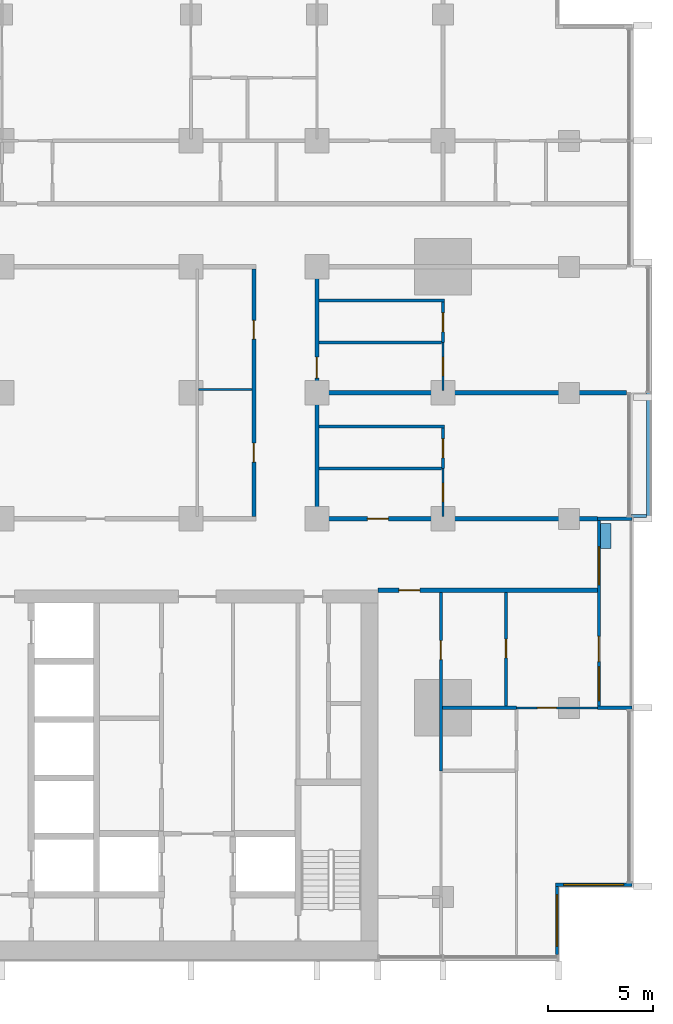
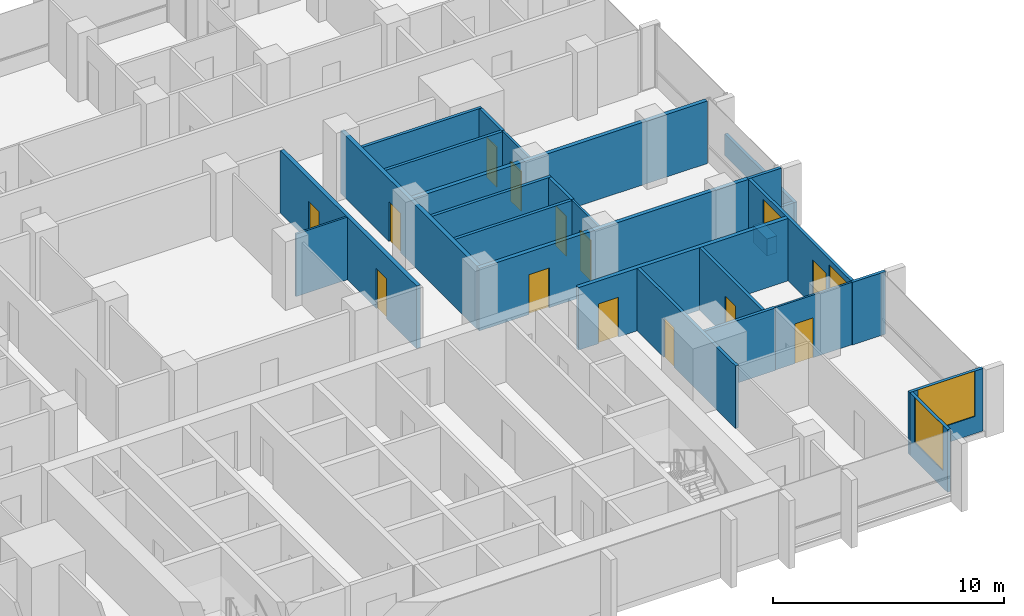
# One storey, part 10 of 17: 26 walls, 13 doors, 4 windows, 17 openings.
"""IFC4 building model written with IfcOpenShell, lengths in metres."""

from ifc_helpers import new_model, si_unit, direction, frame, frame_2d, origin, place, context, subcontext, project, spatial, rectangle, extrude, material, layer, layer_set, type_object, element, fill, save


model = new_model("IFC4")

# Units and contexts
model_context = context("Model", 3, precision=1e-05, world=origin(), true_north=direction((0.0, 1.0)))
body_context = subcontext(model_context, "Body", "Model", "MODEL_VIEW")
ifc_project = project(units=[si_unit("LENGTHUNIT", "METRE"), si_unit("AREAUNIT", "SQUARE_METRE"), si_unit("VOLUMEUNIT", "CUBIC_METRE"), si_unit("PLANEANGLEUNIT", "RADIAN"), si_unit("MASSUNIT", "GRAM", prefix="KILO")], contexts=[model_context])

# Site, building, storey
site_placement = place(None, origin())
site = spatial("IfcSite", under=ifc_project, at=site_placement, CompositionType="ELEMENT")
building_placement = place(site_placement, origin())
building = spatial("IfcBuilding", under=site, at=building_placement, Name="Finial Court Residences", CompositionType="ELEMENT")
storey_placement = place(building_placement, frame((0.0, 0.0, 102.699951171875)))
storey = spatial("IfcBuildingStorey", under=building, at=storey_placement, Name="L25", CompositionType="ELEMENT", Elevation=102.699951171875)

# Wall
ifc_material_1 = material(Name="Gypsum board")
ifc_layer_1 = layer(ifc_material_1, 0.02490234375)
ifc_material_2 = material(Name="Acoustic mineral wool in double frame")
ifc_layer_2 = layer(ifc_material_2, 0.14990234375)
ifc_layer_3 = layer(ifc_material_1, 0.02490234375)
ifc_layer_set_1 = layer_set([ifc_layer_1, ifc_layer_2, ifc_layer_3], Name="Acoustic party wall 200, 1 hour")
wall_type_1 = type_object("IfcWallType", Name="Acoustic party wall 200, 1 hour", PredefinedType="PARTITIONING", material=ifc_layer_set_1)
wall_1_placement = place(storey_placement, frame((10.60009765625, 1.5, 0.0), z_axis=(0.0, 0.0, 1.0), x_axis=(1.0, 0.0, 0.0)))
element("IfcWall", 1, at=wall_1_placement, inside=storey, type_object=wall_type_1, Name="Partition L25-017", PredefinedType="PARTITIONING", context=body_context, shape_type="SweptSolid", body=[
    extrude(rectangle(XDim=14.64990234375, YDim=0.199951171875, at=frame_2d((7.324951171875, 0.0))), origin(), (0.0, 0.0, 1.0), 3.300048828125),
])

# Wall, opening, door
ifc_layer_4 = layer(ifc_material_1, 0.02490234375)
ifc_layer_5 = layer(ifc_material_2, 0.14990234375)
ifc_layer_6 = layer(ifc_material_1, 0.02490234375)
ifc_layer_set_2 = layer_set([ifc_layer_4, ifc_layer_5, ifc_layer_6], Name="Corridor wall 200, 1 hour")
wall_type_2 = type_object("IfcWallType", Name="Corridor wall 200, 1 hour", PredefinedType="PARTITIONING", material=ifc_layer_set_2)
wall_2_placement = place(storey_placement, frame((13.39990234375, -7.89990234375, 0.0), z_axis=(0.0, 0.0, 1.0), x_axis=(1.0, 0.0, 0.0)))
wall_2 = element("IfcWall", 2, at=wall_2_placement, inside=storey, type_object=wall_type_2, Name="Partition L25-008", PredefinedType="PARTITIONING", context=body_context, shape_type="SweptSolid", body=[
    extrude(rectangle(XDim=10.4501953125, YDim=0.199951171875, at=frame_2d((5.22509765625, 0.0))), origin(), (0.0, 0.0, 1.0), 3.300048828125),
])
opening_1_placement = place(wall_2_placement, frame((1.0, 0.0, 0.0)))
opening_1 = element("IfcOpeningElement", 3, at=opening_1_placement, cuts=wall_2, Name="Opening L25-D006", PredefinedType="OPENING", context=body_context, shape_type="SweptSolid", body=[
    extrude(rectangle(XDim=1.0, YDim=2.10009765625, at=frame_2d((0.5, 1.050048828125))), frame((0.0, 0.10986328125, 0.0), z_axis=(0.0, -1.0, 0.0), x_axis=(1.0, 0.0, 0.0)), (0.0, 0.0, 1.0), 0.219970703125),
])
ifc_material_3 = material(Name="Timber door leaf in hollow metal frame", Category="wood")
door_type_1 = type_object("IfcDoorType", Name="Fire door set 1000 x 2100, 30 minutes", OperationType="SINGLE_SWING_LEFT", PredefinedType="DOOR", material=ifc_material_3)
door_1_placement = place(opening_1_placement, origin())
door_1 = element("IfcDoor", 4, at=door_1_placement, inside=storey, type_object=door_type_1, Name="Door L25-D006", OperationType="SINGLE_SWING_LEFT", OverallHeight=2.10009765625, OverallWidth=1.0, PredefinedType="DOOR", context=body_context, shape_type="SweptSolid", body=[
    extrude(rectangle(XDim=1.0, YDim=2.10009765625, at=frame_2d((0.5, 1.050048828125))), frame((0.0, 0.02490234375, 0.0), z_axis=(0.0, -1.0, 0.0), x_axis=(1.0, 0.0, 0.0)), (0.0, 0.0, 1.0), 0.050048828125),
])
fill(opening_1, door_1)

wall_3_placement = place(storey_placement, frame((10.39990234375, -4.5, 0.0), z_axis=(0.0, 0.0, 1.0), x_axis=(1.0, 0.0, 0.0)))
wall_3 = element("IfcWall", 5, at=wall_3_placement, inside=storey, type_object=wall_type_2, Name="Partition L25-011", PredefinedType="PARTITIONING", context=body_context, shape_type="SweptSolid", body=[
    extrude(rectangle(XDim=13.4501953125, YDim=0.199951171875, at=frame_2d((6.72509765625, 0.0))), origin(), (0.0, 0.0, 1.0), 3.300048828125),
])
opening_2_placement = place(wall_3_placement, frame((2.5, 0.0, 0.0)))
opening_2 = element("IfcOpeningElement", 6, at=opening_2_placement, cuts=wall_3, Name="Opening L25-D009", PredefinedType="OPENING", context=body_context, shape_type="SweptSolid", body=[
    extrude(rectangle(XDim=1.0, YDim=2.10009765625, at=frame_2d((0.5, 1.050048828125))), frame((0.0, 0.10986328125, 0.0), z_axis=(0.0, -1.0, 0.0), x_axis=(1.0, 0.0, 0.0)), (0.0, 0.0, 1.0), 0.219970703125),
])
door_2_placement = place(opening_2_placement, origin())
door_2 = element("IfcDoor", 7, at=door_2_placement, inside=storey, type_object=door_type_1, Name="Door L25-D009", OperationType="SINGLE_SWING_RIGHT", OverallHeight=2.10009765625, OverallWidth=1.0, PredefinedType="DOOR", context=body_context, shape_type="SweptSolid", body=[
    extrude(rectangle(XDim=1.0, YDim=2.10009765625, at=frame_2d((0.5, 1.050048828125))), frame((0.0, 0.02490234375, 0.0), z_axis=(0.0, -1.0, 0.0), x_axis=(1.0, 0.0, 0.0)), (0.0, 0.0, 1.0), 0.050048828125),
])
fill(opening_2, door_2)

# Wall, openings, doors
wall_4_placement = place(storey_placement, frame((7.5, -4.39990234375, 0.0), z_axis=(0.0, 0.0, 1.0), x_axis=(0.0, 1.0, 0.0)))
wall_4 = element("IfcWall", 8, at=wall_4_placement, inside=storey, type_object=wall_type_2, Name="Partition L25-067", PredefinedType="PARTITIONING", context=body_context, shape_type="SweptSolid", body=[
    extrude(rectangle(XDim=11.7998046875, YDim=0.199951171875, at=frame_2d((5.89990234375, 0.0))), origin(), (0.0, 0.0, 1.0), 3.300048828125),
])
opening_3_placement = place(wall_4_placement, frame((2.60009765625, 0.0, 0.0)))
opening_3 = element("IfcOpeningElement", 9, at=opening_3_placement, cuts=wall_4, Name="Opening L25-D040", PredefinedType="OPENING", context=body_context, shape_type="SweptSolid", body=[
    extrude(rectangle(XDim=0.89990234375, YDim=2.10009765625, at=frame_2d((0.449951171875, 1.050048828125))), frame((0.0, 0.10986328125, 0.0), z_axis=(0.0, -1.0, 0.0), x_axis=(1.0, 0.0, 0.0)), (0.0, 0.0, 1.0), 0.219970703125),
])
opening_4_placement = place(wall_4_placement, frame((8.449951171875, 0.0, 0.0)))
opening_4 = element("IfcOpeningElement", 10, at=opening_4_placement, cuts=wall_4, Name="Opening L25-D041", PredefinedType="OPENING", context=body_context, shape_type="SweptSolid", body=[
    extrude(rectangle(XDim=0.89990234375, YDim=2.10009765625, at=frame_2d((0.449951171875, 1.050048828125))), frame((0.0, 0.10986328125, 0.0), z_axis=(0.0, -1.0, 0.0), x_axis=(1.0, 0.0, 0.0)), (0.0, 0.0, 1.0), 0.219970703125),
])
door_type_2 = type_object("IfcDoorType", Name="Fire door set 900 x 2100, 30 minutes", OperationType="SINGLE_SWING_LEFT", PredefinedType="DOOR", material=ifc_material_3)
door_3_placement = place(opening_3_placement, origin())
door_3 = element("IfcDoor", 11, at=door_3_placement, inside=storey, type_object=door_type_2, Name="Door L25-D040", OperationType="SINGLE_SWING_RIGHT", OverallHeight=2.10009765625, OverallWidth=0.89990234375, PredefinedType="DOOR", context=body_context, shape_type="SweptSolid", body=[
    extrude(rectangle(XDim=0.89990234375, YDim=2.10009765625, at=frame_2d((0.449951171875, 1.050048828125))), frame((0.0, 0.02490234375, 0.0), z_axis=(0.0, -1.0, 0.0), x_axis=(1.0, 0.0, 0.0)), (0.0, 0.0, 1.0), 0.050048828125),
])
fill(opening_3, door_3)
door_4_placement = place(opening_4_placement, origin())
door_4 = element("IfcDoor", 12, at=door_4_placement, inside=storey, type_object=door_type_2, Name="Door L25-D041", OperationType="SINGLE_SWING_LEFT", OverallHeight=2.10009765625, OverallWidth=0.89990234375, PredefinedType="DOOR", context=body_context, shape_type="SweptSolid", body=[
    extrude(rectangle(XDim=0.89990234375, YDim=2.10009765625, at=frame_2d((0.449951171875, 1.050048828125))), frame((0.0, 0.02490234375, 0.0), z_axis=(0.0, -1.0, 0.0), x_axis=(1.0, 0.0, 0.0)), (0.0, 0.0, 1.0), 0.050048828125),
])
fill(opening_4, door_4)

# Wall, opening, door
wall_5_placement = place(storey_placement, frame((10.5, -4.39990234375, 0.0), z_axis=(0.0, 0.0, 1.0), x_axis=(0.0, 1.0, 0.0)))
wall_5 = element("IfcWall", 13, at=wall_5_placement, inside=storey, type_object=wall_type_2, Name="Partition L25-069", PredefinedType="PARTITIONING", context=body_context, shape_type="SweptSolid", body=[
    extrude(rectangle(XDim=11.7998046875, YDim=0.199951171875, at=frame_2d((5.89990234375, 0.0))), origin(), (0.0, 0.0, 1.0), 3.300048828125),
])
opening_5_placement = place(wall_5_placement, frame((6.60009765625, 0.0, 0.0)))
opening_5 = element("IfcOpeningElement", 14, at=opening_5_placement, cuts=wall_5, Name="Opening L25-D042", PredefinedType="OPENING", context=body_context, shape_type="SweptSolid", body=[
    extrude(rectangle(XDim=1.0, YDim=2.10009765625, at=frame_2d((0.5, 1.050048828125))), frame((0.0, 0.10986328125, 0.0), z_axis=(0.0, -1.0, 0.0), x_axis=(1.0, 0.0, 0.0)), (0.0, 0.0, 1.0), 0.219970703125),
])
door_5_placement = place(opening_5_placement, origin())
door_5 = element("IfcDoor", 15, at=door_5_placement, inside=storey, type_object=door_type_1, Name="Door L25-D042", OperationType="SINGLE_SWING_RIGHT", OverallHeight=2.10009765625, OverallWidth=1.0, PredefinedType="DOOR", context=body_context, shape_type="SweptSolid", body=[
    extrude(rectangle(XDim=1.0, YDim=2.10009765625, at=frame_2d((0.5, 1.050048828125))), frame((0.0, 0.02490234375, 0.0), z_axis=(0.0, -1.0, 0.0), x_axis=(1.0, 0.0, 0.0)), (0.0, 0.0, 1.0), 0.050048828125),
])
fill(opening_5, door_5)

ifc_layer_7 = layer(ifc_material_1, 0.012451171875)
ifc_material_4 = material(Name="Mineral wool in light-gauge frame")
ifc_layer_8 = layer(ifc_material_4, 0.074951171875)
ifc_layer_9 = layer(ifc_material_1, 0.012451171875)
ifc_layer_set_3 = layer_set([ifc_layer_7, ifc_layer_8, ifc_layer_9], Name="Gypsum board partition 100")
wall_type_3 = type_object("IfcWallType", Name="Gypsum board partition 100", PredefinedType="PARTITIONING", material=ifc_layer_set_3)
wall_6_placement = place(storey_placement, frame((20.0, -13.5, 0.0), z_axis=(0.0, 0.0, 1.0), x_axis=(1.0, 0.0, 0.0)))
wall_6 = element("IfcWall", 16, at=wall_6_placement, inside=storey, type_object=wall_type_3, Name="Partition L25-004", PredefinedType="PARTITIONING", context=body_context, shape_type="SweptSolid", body=[
    extrude(rectangle(XDim=3.85009765625, YDim=0.10009765625, at=frame_2d((1.925048828125, 0.0))), origin(), (0.0, 0.0, 1.0), 3.300048828125),
])
opening_6_placement = place(wall_6_placement, frame((1.0, 0.0, 0.0)))
opening_6 = element("IfcOpeningElement", 17, at=opening_6_placement, cuts=wall_6, Name="Opening L25-D004", PredefinedType="OPENING", context=body_context, shape_type="SweptSolid", body=[
    extrude(rectangle(XDim=0.89990234375, YDim=2.10009765625, at=frame_2d((0.449951171875, 1.050048828125))), frame((0.0, 0.06005859375, 0.0), z_axis=(0.0, -1.0, 0.0), x_axis=(1.0, 0.0, 0.0)), (0.0, 0.0, 1.0), 0.1201171875),
])
ifc_material_5 = material(Name="Timber door leaf in timber frame", Category="wood")
door_type_3 = type_object("IfcDoorType", Name="Door set 900 x 2100", OperationType="SINGLE_SWING_LEFT", PredefinedType="DOOR", material=ifc_material_5)
door_6_placement = place(opening_6_placement, origin())
door_6 = element("IfcDoor", 18, at=door_6_placement, inside=storey, type_object=door_type_3, Name="Door L25-D004", OperationType="SINGLE_SWING_LEFT", OverallHeight=2.10009765625, OverallWidth=0.89990234375, PredefinedType="DOOR", context=body_context, shape_type="SweptSolid", body=[
    extrude(rectangle(XDim=0.89990234375, YDim=2.10009765625, at=frame_2d((0.449951171875, 1.050048828125))), frame((0.0, 0.02490234375, 0.0), z_axis=(0.0, -1.0, 0.0), x_axis=(1.0, 0.0, 0.0)), (0.0, 0.0, 1.0), 0.050048828125),
])
fill(opening_6, door_6)

# Wall
wall_7_placement = place(storey_placement, frame((4.85009765625, 1.64990234375, 0.0), z_axis=(0.0, 0.0, 1.0), x_axis=(1.0, 0.0, 0.0)))
element("IfcWall", 19, at=wall_7_placement, inside=storey, type_object=wall_type_3, Name="Partition L25-019", PredefinedType="PARTITIONING", context=body_context, shape_type="SweptSolid", body=[
    extrude(rectangle(XDim=2.5498046875, YDim=0.10009765625, at=frame_2d((1.27490234375, 0.0))), origin(), (0.0, 0.0, 1.0), 3.300048828125),
])

# Wall, opening, door
wall_8_placement = place(storey_placement, frame((16.5, -4.39990234375, 0.0), z_axis=(0.0, 0.0, 1.0), x_axis=(0.0, 1.0, 0.0)))
wall_8 = element("IfcWall", 20, at=wall_8_placement, inside=storey, type_object=wall_type_3, Name="Partition L25-074", PredefinedType="PARTITIONING", context=body_context, shape_type="SweptSolid", body=[
    extrude(rectangle(XDim=2.2998046875, YDim=0.10009765625, at=frame_2d((1.14990234375, 0.0))), origin(), (0.0, 0.0, 1.0), 3.300048828125),
])
opening_7_placement = place(wall_8_placement, frame((0.699951171875, 0.0, 0.0)))
opening_7 = element("IfcOpeningElement", 21, at=opening_7_placement, cuts=wall_8, Name="Opening L25-D045", PredefinedType="OPENING", context=body_context, shape_type="SweptSolid", body=[
    extrude(rectangle(XDim=0.89990234375, YDim=2.10009765625, at=frame_2d((0.449951171875, 1.050048828125))), frame((0.0, 0.06005859375, 0.0), z_axis=(0.0, -1.0, 0.0), x_axis=(1.0, 0.0, 0.0)), (0.0, 0.0, 1.0), 0.1201171875),
])
door_7_placement = place(opening_7_placement, origin())
door_7 = element("IfcDoor", 22, at=door_7_placement, inside=storey, type_object=door_type_3, Name="Door L25-D045", OperationType="SINGLE_SWING_RIGHT", OverallHeight=2.10009765625, OverallWidth=0.89990234375, PredefinedType="DOOR", context=body_context, shape_type="SweptSolid", body=[
    extrude(rectangle(XDim=0.89990234375, YDim=2.10009765625, at=frame_2d((0.449951171875, 1.050048828125))), frame((0.0, 0.02490234375, 0.0), z_axis=(0.0, -1.0, 0.0), x_axis=(1.0, 0.0, 0.0)), (0.0, 0.0, 1.0), 0.050048828125),
])
fill(opening_7, door_7)

wall_9_placement = place(storey_placement, frame((16.5, 1.60009765625, 0.0), z_axis=(0.0, 0.0, 1.0), x_axis=(0.0, 1.0, 0.0)))
wall_9 = element("IfcWall", 23, at=wall_9_placement, inside=storey, type_object=wall_type_3, Name="Partition L25-075", PredefinedType="PARTITIONING", context=body_context, shape_type="SweptSolid", body=[
    extrude(rectangle(XDim=2.2998046875, YDim=0.10009765625, at=frame_2d((1.14990234375, 0.0))), origin(), (0.0, 0.0, 1.0), 3.300048828125),
])
opening_8_placement = place(wall_9_placement, frame((0.699951171875, 0.0, 0.0)))
opening_8 = element("IfcOpeningElement", 24, at=opening_8_placement, cuts=wall_9, Name="Opening L25-D046", PredefinedType="OPENING", context=body_context, shape_type="SweptSolid", body=[
    extrude(rectangle(XDim=0.89990234375, YDim=2.10009765625, at=frame_2d((0.449951171875, 1.050048828125))), frame((0.0, 0.06005859375, 0.0), z_axis=(0.0, -1.0, 0.0), x_axis=(1.0, 0.0, 0.0)), (0.0, 0.0, 1.0), 0.1201171875),
])
door_8_placement = place(opening_8_placement, origin())
door_8 = element("IfcDoor", 25, at=door_8_placement, inside=storey, type_object=door_type_3, Name="Door L25-D046", OperationType="SINGLE_SWING_RIGHT", OverallHeight=2.10009765625, OverallWidth=0.89990234375, PredefinedType="DOOR", context=body_context, shape_type="SweptSolid", body=[
    extrude(rectangle(XDim=0.89990234375, YDim=2.10009765625, at=frame_2d((0.449951171875, 1.050048828125))), frame((0.0, 0.02490234375, 0.0), z_axis=(0.0, -1.0, 0.0), x_axis=(1.0, 0.0, 0.0)), (0.0, 0.0, 1.0), 0.050048828125),
])
fill(opening_8, door_8)

# Walls
ifc_material_6 = material(Name="Moisture-resistant gypsum board")
ifc_layer_10 = layer(ifc_material_6, 0.012451171875)
ifc_layer_11 = layer(ifc_material_4, 0.125)
ifc_layer_12 = layer(ifc_material_6, 0.012451171875)
ifc_layer_set_4 = layer_set([ifc_layer_10, ifc_layer_11, ifc_layer_12], Name="Gypsum board wet-area partition 150")
wall_type_4 = type_object("IfcWallType", Name="Gypsum board wet-area partition 150", PredefinedType="PARTITIONING", material=ifc_layer_set_4)
wall_10_placement = place(storey_placement, frame((16.47509765625, -13.5, 0.0), z_axis=(0.0, 0.0, 1.0), x_axis=(1.0, 0.0, 0.0)))
element("IfcWall", 26, at=wall_10_placement, inside=storey, type_object=wall_type_4, Name="Partition L25-006", PredefinedType="PARTITIONING", context=body_context, shape_type="SweptSolid", body=[
    extrude(rectangle(XDim=3.52490234375, YDim=0.14990234375, at=frame_2d((1.762451171875, 0.0))), origin(), (0.0, 0.0, 1.0), 3.300048828125),
])
wall_11_placement = place(storey_placement, frame((10.60009765625, -2.10009765625, 0.0), z_axis=(0.0, 0.0, 1.0), x_axis=(1.0, 0.0, 0.0)))
element("IfcWall", 27, at=wall_11_placement, inside=storey, type_object=wall_type_4, Name="Partition L25-013", PredefinedType="PARTITIONING", context=body_context, shape_type="SweptSolid", body=[
    extrude(rectangle(XDim=5.824951171875, YDim=0.14990234375, at=frame_2d((2.91259765625, 0.0))), origin(), (0.0, 0.0, 1.0), 3.300048828125),
])
wall_12_placement = place(storey_placement, frame((10.60009765625, -0.10009765625, 0.0), z_axis=(0.0, 0.0, 1.0), x_axis=(1.0, 0.0, 0.0)))
element("IfcWall", 28, at=wall_12_placement, inside=storey, type_object=wall_type_4, Name="Partition L25-015", PredefinedType="PARTITIONING", context=body_context, shape_type="SweptSolid", body=[
    extrude(rectangle(XDim=5.974853515625, YDim=0.14990234375, at=frame_2d((2.9873046875, 0.0))), origin(), (0.0, 0.0, 1.0), 3.300048828125),
])
wall_13_placement = place(storey_placement, frame((10.60009765625, 3.89990234375, 0.0), z_axis=(0.0, 0.0, 1.0), x_axis=(1.0, 0.0, 0.0)))
element("IfcWall", 29, at=wall_13_placement, inside=storey, type_object=wall_type_4, Name="Partition L25-021", PredefinedType="PARTITIONING", context=body_context, shape_type="SweptSolid", body=[
    extrude(rectangle(XDim=5.824951171875, YDim=0.14990234375, at=frame_2d((2.91259765625, 0.0))), origin(), (0.0, 0.0, 1.0), 3.300048828125),
])
wall_14_placement = place(storey_placement, frame((10.60009765625, 5.89990234375, 0.0), z_axis=(0.0, 0.0, 1.0), x_axis=(1.0, 0.0, 0.0)))
element("IfcWall", 30, at=wall_14_placement, inside=storey, type_object=wall_type_4, Name="Partition L25-023", PredefinedType="PARTITIONING", context=body_context, shape_type="SweptSolid", body=[
    extrude(rectangle(XDim=5.974853515625, YDim=0.14990234375, at=frame_2d((2.9873046875, 0.0))), origin(), (0.0, 0.0, 1.0), 3.300048828125),
])

# Wall, opening, door
wall_15_placement = place(storey_placement, frame((16.39990234375, -16.5, 0.0), z_axis=(0.0, 0.0, 1.0), x_axis=(0.0, 1.0, 0.0)))
wall_15 = element("IfcWall", 31, at=wall_15_placement, inside=storey, type_object=wall_type_4, Name="Partition L25-073", PredefinedType="PARTITIONING", context=body_context, shape_type="SweptSolid", body=[
    extrude(rectangle(XDim=8.5, YDim=0.14990234375, at=frame_2d((4.25, 0.0))), origin(), (0.0, 0.0, 1.0), 3.300048828125),
])
opening_9_placement = place(wall_15_placement, frame((5.300048828125, 0.0, 0.0)))
opening_9 = element("IfcOpeningElement", 32, at=opening_9_placement, cuts=wall_15, Name="Opening L25-D044", PredefinedType="OPENING", context=body_context, shape_type="SweptSolid", body=[
    extrude(rectangle(XDim=0.89990234375, YDim=2.10009765625, at=frame_2d((0.449951171875, 1.050048828125))), frame((0.0, 0.0849609375, 0.0), z_axis=(0.0, -1.0, 0.0), x_axis=(1.0, 0.0, 0.0)), (0.0, 0.0, 1.0), 0.169921875),
])
door_9_placement = place(opening_9_placement, origin())
door_9 = element("IfcDoor", 33, at=door_9_placement, inside=storey, type_object=door_type_3, Name="Door L25-D044", OperationType="SINGLE_SWING_RIGHT", OverallHeight=2.10009765625, OverallWidth=0.89990234375, PredefinedType="DOOR", context=body_context, shape_type="SweptSolid", body=[
    extrude(rectangle(XDim=0.89990234375, YDim=2.10009765625, at=frame_2d((0.449951171875, 1.050048828125))), frame((0.0, 0.02490234375, 0.0), z_axis=(0.0, -1.0, 0.0), x_axis=(1.0, 0.0, 0.0)), (0.0, 0.0, 1.0), 0.050048828125),
])
fill(opening_9, door_9)

wall_16_placement = place(storey_placement, frame((16.5, -2.10009765625, 0.0), z_axis=(0.0, 0.0, 1.0), x_axis=(0.0, 1.0, 0.0)))
wall_16 = element("IfcWall", 34, at=wall_16_placement, inside=storey, type_object=wall_type_4, Name="Partition L25-078", PredefinedType="PARTITIONING", context=body_context, shape_type="SweptSolid", body=[
    extrude(rectangle(XDim=1.925048828125, YDim=0.14990234375, at=frame_2d((0.96240234375, 0.0))), origin(), (0.0, 0.0, 1.0), 3.300048828125),
])
opening_10_placement = place(wall_16_placement, frame((0.5, 0.0, 0.0)))
opening_10 = element("IfcOpeningElement", 35, at=opening_10_placement, cuts=wall_16, Name="Opening L25-D047", PredefinedType="OPENING", context=body_context, shape_type="SweptSolid", body=[
    extrude(rectangle(XDim=0.89990234375, YDim=2.10009765625, at=frame_2d((0.449951171875, 1.050048828125))), frame((0.0, 0.0849609375, 0.0), z_axis=(0.0, -1.0, 0.0), x_axis=(1.0, 0.0, 0.0)), (0.0, 0.0, 1.0), 0.169921875),
])
door_10_placement = place(opening_10_placement, origin())
door_10 = element("IfcDoor", 36, at=door_10_placement, inside=storey, type_object=door_type_3, Name="Door L25-D047", OperationType="SINGLE_SWING_RIGHT", OverallHeight=2.10009765625, OverallWidth=0.89990234375, PredefinedType="DOOR", context=body_context, shape_type="SweptSolid", body=[
    extrude(rectangle(XDim=0.89990234375, YDim=2.10009765625, at=frame_2d((0.449951171875, 1.050048828125))), frame((0.0, 0.02490234375, 0.0), z_axis=(0.0, -1.0, 0.0), x_axis=(1.0, 0.0, 0.0)), (0.0, 0.0, 1.0), 0.050048828125),
])
fill(opening_10, door_10)

wall_17_placement = place(storey_placement, frame((16.5, 3.89990234375, 0.0), z_axis=(0.0, 0.0, 1.0), x_axis=(0.0, 1.0, 0.0)))
wall_17 = element("IfcWall", 37, at=wall_17_placement, inside=storey, type_object=wall_type_4, Name="Partition L25-079", PredefinedType="PARTITIONING", context=body_context, shape_type="SweptSolid", body=[
    extrude(rectangle(XDim=1.925048828125, YDim=0.14990234375, at=frame_2d((0.96240234375, 0.0))), origin(), (0.0, 0.0, 1.0), 3.300048828125),
])
opening_11_placement = place(wall_17_placement, frame((0.5, 0.0, 0.0)))
opening_11 = element("IfcOpeningElement", 38, at=opening_11_placement, cuts=wall_17, Name="Opening L25-D048", PredefinedType="OPENING", context=body_context, shape_type="SweptSolid", body=[
    extrude(rectangle(XDim=0.89990234375, YDim=2.10009765625, at=frame_2d((0.449951171875, 1.050048828125))), frame((0.0, 0.0849609375, 0.0), z_axis=(0.0, -1.0, 0.0), x_axis=(1.0, 0.0, 0.0)), (0.0, 0.0, 1.0), 0.169921875),
])
door_11_placement = place(opening_11_placement, origin())
door_11 = element("IfcDoor", 39, at=door_11_placement, inside=storey, type_object=door_type_3, Name="Door L25-D048", OperationType="SINGLE_SWING_LEFT", OverallHeight=2.10009765625, OverallWidth=0.89990234375, PredefinedType="DOOR", context=body_context, shape_type="SweptSolid", body=[
    extrude(rectangle(XDim=0.89990234375, YDim=2.10009765625, at=frame_2d((0.449951171875, 1.050048828125))), frame((0.0, 0.02490234375, 0.0), z_axis=(0.0, -1.0, 0.0), x_axis=(1.0, 0.0, 0.0)), (0.0, 0.0, 1.0), 0.050048828125),
])
fill(opening_11, door_11)

wall_18_placement = place(storey_placement, frame((19.5, -13.425048828125, 0.0), z_axis=(0.0, 0.0, 1.0), x_axis=(0.0, 1.0, 0.0)))
wall_18 = element("IfcWall", 40, at=wall_18_placement, inside=storey, type_object=wall_type_4, Name="Partition L25-081", PredefinedType="PARTITIONING", context=body_context, shape_type="SweptSolid", body=[
    extrude(rectangle(XDim=5.425048828125, YDim=0.14990234375, at=frame_2d((2.71240234375, 0.0))), origin(), (0.0, 0.0, 1.0), 3.300048828125),
])
opening_12_placement = place(wall_18_placement, frame((2.300048828125, 0.0, 0.0)))
opening_12 = element("IfcOpeningElement", 41, at=opening_12_placement, cuts=wall_18, Name="Opening L25-D050", PredefinedType="OPENING", context=body_context, shape_type="SweptSolid", body=[
    extrude(rectangle(XDim=0.89990234375, YDim=2.10009765625, at=frame_2d((0.449951171875, 1.050048828125))), frame((0.0, 0.0849609375, 0.0), z_axis=(0.0, -1.0, 0.0), x_axis=(1.0, 0.0, 0.0)), (0.0, 0.0, 1.0), 0.169921875),
])
door_12_placement = place(opening_12_placement, origin())
door_12 = element("IfcDoor", 42, at=door_12_placement, inside=storey, type_object=door_type_3, Name="Door L25-D050", OperationType="SINGLE_SWING_LEFT", OverallHeight=2.10009765625, OverallWidth=0.89990234375, PredefinedType="DOOR", context=body_context, shape_type="SweptSolid", body=[
    extrude(rectangle(XDim=0.89990234375, YDim=2.10009765625, at=frame_2d((0.449951171875, 1.050048828125))), frame((0.0, 0.02490234375, 0.0), z_axis=(0.0, -1.0, 0.0), x_axis=(1.0, 0.0, 0.0)), (0.0, 0.0, 1.0), 0.050048828125),
])
fill(opening_12, door_12)

# Walls
ifc_material_7 = material(Name="Concrete C35/45", Category="concrete")
ifc_layer_13 = layer(ifc_material_7, 0.14990234375)
ifc_layer_set_5 = layer_set([ifc_layer_13], Name="Ledge parapet, Concrete C35/45 150")
wall_type_5 = type_object("IfcWallType", Name="Ledge parapet, Concrete C35/45 150", PredefinedType="PARAPET", material=ifc_layer_set_5)
wall_19_placement = place(storey_placement, frame((26.27490234375, 1.5400390625, 0.0), z_axis=(0.0, 0.0, 1.0), x_axis=(0.0, -1.0, 0.0)))
element("IfcWall", 43, at=wall_19_placement, inside=storey, type_object=wall_type_5, Name="E-L25-LED2-P1", PredefinedType="PARAPET", context=body_context, shape_type="SweptSolid", body=[
    extrude(rectangle(XDim=5.989990234375, YDim=0.14990234375, at=frame_2d((2.9951171875, 0.0))), origin(), (0.0, 0.0, 1.0), 1.150146484375),
])
wall_20_placement = place(storey_placement, frame((26.199951171875, -4.375, 0.0), z_axis=(0.0, 0.0, 1.0), x_axis=(-1.0, 0.0, 0.0)))
element("IfcWall", 44, at=wall_20_placement, inside=storey, type_object=wall_type_5, Name="E-L25-LED2-P2", PredefinedType="PARAPET", context=body_context, shape_type="SweptSolid", body=[
    extrude(rectangle(XDim=0.739990234375, YDim=0.14990234375, at=frame_2d((0.3701171875, 0.0))), origin(), (0.0, 0.0, 1.0), 1.150146484375),
])

# Wall, opening, window
ifc_material_8 = material(Name="Natural limestone", Category="masonry")
ifc_layer_14 = layer(ifc_material_8, 0.14990234375)
ifc_layer_set_6 = layer_set([ifc_layer_14], Name="Limestone clad wall 150")
wall_type_6 = type_object("IfcWallType", Name="Limestone clad wall 150", PredefinedType="SOLIDWALL", material=ifc_layer_set_6)
wall_21_placement = place(storey_placement, frame((21.925048828125, -22.0, 0.0), z_axis=(0.0, 0.0, 1.0), x_axis=(0.0, -1.0, 0.0)))
wall_21 = element("IfcWall", 45, at=wall_21_placement, inside=storey, type_object=wall_type_6, Name="E-L25-NWE16", PredefinedType="SOLIDWALL", context=body_context, shape_type="SweptSolid", body=[
    extrude(rectangle(XDim=3.25, YDim=0.14990234375, at=frame_2d((1.625, 0.0))), origin(), (0.0, 0.0, 1.0), 3.300048828125),
])
opening_13_placement = place(wall_21_placement, frame((0.39990234375, 0.0, 0.89990234375)))
opening_13 = element("IfcOpeningElement", 46, at=opening_13_placement, cuts=wall_21, Name="Opening WE25-03", PredefinedType="OPENING", context=body_context, shape_type="SweptSolid", body=[
    extrude(rectangle(XDim=2.449951171875, YDim=2.39990234375, at=frame_2d((1.22509765625, 1.199951171875))), frame((0.0, 0.0849609375, 0.0), z_axis=(0.0, -1.0, 0.0), x_axis=(1.0, 0.0, 0.0)), (0.0, 0.0, 1.0), 0.169921875),
])
ifc_material_9 = material(Name="Clear low-e glass", Category="glass")
window_type_1 = type_object("IfcWindowType", Name="Corner window 2450 x 2400", PartitioningType="SINGLE_PANEL", PredefinedType="WINDOW", material=ifc_material_9)
window_1_placement = place(opening_13_placement, origin())
window_1 = element("IfcWindow", 47, at=window_1_placement, inside=storey, type_object=window_type_1, Name="E-L25-NWE16-W1", OverallHeight=2.39990234375, OverallWidth=2.449951171875, PartitioningType="SINGLE_PANEL", PredefinedType="WINDOW", context=body_context, shape_type="SweptSolid", body=[
    extrude(rectangle(XDim=2.449951171875, YDim=2.39990234375, at=frame_2d((1.22509765625, 1.199951171875))), frame((0.0, 0.030029296875, 0.0), z_axis=(0.0, -1.0, 0.0), x_axis=(1.0, 0.0, 0.0)), (0.0, 0.0, 1.0), 0.06005859375),
])
fill(opening_13, window_1)

wall_22_placement = place(storey_placement, frame((25.5, -21.925048828125, 0.0), z_axis=(0.0, 0.0, 1.0), x_axis=(-1.0, 0.0, 0.0)))
wall_22 = element("IfcWall", 48, at=wall_22_placement, inside=storey, type_object=wall_type_6, Name="E-L25-NWS17", PredefinedType="SOLIDWALL", context=body_context, shape_type="SweptSolid", body=[
    extrude(rectangle(XDim=3.64990234375, YDim=0.14990234375, at=frame_2d((1.824951171875, 0.0))), origin(), (0.0, 0.0, 1.0), 3.300048828125),
])
opening_14_placement = place(wall_22_placement, frame((0.39990234375, 0.0, 0.89990234375)))
opening_14 = element("IfcOpeningElement", 49, at=opening_14_placement, cuts=wall_22, Name="Opening WE25-04", PredefinedType="OPENING", context=body_context, shape_type="SweptSolid", body=[
    extrude(rectangle(XDim=2.85009765625, YDim=2.39990234375, at=frame_2d((1.425048828125, 1.199951171875))), frame((0.0, 0.0849609375, 0.0), z_axis=(0.0, -1.0, 0.0), x_axis=(1.0, 0.0, 0.0)), (0.0, 0.0, 1.0), 0.169921875),
])
window_type_2 = type_object("IfcWindowType", Name="Corner window 2850 x 2400", PartitioningType="SINGLE_PANEL", PredefinedType="WINDOW", material=ifc_material_9)
window_2_placement = place(opening_14_placement, origin())
window_2 = element("IfcWindow", 50, at=window_2_placement, inside=storey, type_object=window_type_2, Name="E-L25-NWS17-W1", OverallHeight=2.39990234375, OverallWidth=2.85009765625, PartitioningType="SINGLE_PANEL", PredefinedType="WINDOW", context=body_context, shape_type="SweptSolid", body=[
    extrude(rectangle(XDim=2.85009765625, YDim=2.39990234375, at=frame_2d((1.425048828125, 1.199951171875))), frame((0.0, 0.030029296875, 0.0), z_axis=(0.0, -1.0, 0.0), x_axis=(1.0, 0.0, 0.0)), (0.0, 0.0, 1.0), 0.06005859375),
])
fill(opening_14, window_2)

# Walls
for number, where, z_axis, x_axis, name in (
    (51, (23.85009765625, -13.5, 0.0), (0.0, 0.0, 1.0), (1.0, 0.0, 0.0), "E-L25-BALE2-P1"),
    (52, (23.85009765625, -4.5, 0.0), (0.0, 0.0, 1.0), (1.0, 0.0, 0.0), "E-L25-BALE2-P2"),
):
    element("IfcWall", number, at=place(storey_placement, frame(where, z_axis=z_axis, x_axis=x_axis)), inside=storey, type_object=wall_type_6, Name=name, PredefinedType="SOLIDWALL", context=body_context, shape_type="SweptSolid", body=[
        extrude(rectangle(XDim=1.64990234375, YDim=0.14990234375, at=frame_2d((0.824951171875, 0.0))), origin(), (0.0, 0.0, 1.0), 3.300048828125),
    ])

# Wall, openings, door, windows
wall_23_placement = place(storey_placement, frame((23.925048828125, -4.574951171875, 0.0), z_axis=(0.0, 0.0, 1.0), x_axis=(0.0, -1.0, 0.0)))
wall_23 = element("IfcWall", 53, at=wall_23_placement, inside=storey, type_object=wall_type_6, Name="E-L25-L25-BALE2-W", PredefinedType="SOLIDWALL", context=body_context, shape_type="SweptSolid", body=[
    extrude(rectangle(XDim=8.85009765625, YDim=0.14990234375, at=frame_2d((4.425048828125, 0.0))), origin(), (0.0, 0.0, 1.0), 3.300048828125),
])
opening_15_placement = place(wall_23_placement, frame((5.52490234375, 0.0, 0.0)))
opening_15 = element("IfcOpeningElement", 54, at=opening_15_placement, cuts=wall_23, Name="Opening DE25-02", PredefinedType="OPENING", context=body_context, shape_type="SweptSolid", body=[
    extrude(rectangle(XDim=1.199951171875, YDim=2.39990234375, at=frame_2d((0.60009765625, 1.199951171875))), frame((0.0, 0.0849609375, 0.0), z_axis=(0.0, -1.0, 0.0), x_axis=(1.0, 0.0, 0.0)), (0.0, 0.0, 1.0), 0.169921875),
])
opening_16_placement = place(wall_23_placement, frame((6.97509765625, 0.0, 0.89990234375)))
opening_16 = element("IfcOpeningElement", 55, at=opening_16_placement, cuts=wall_23, Name="Opening WE25-11", PredefinedType="OPENING", context=body_context, shape_type="SweptSolid", body=[
    extrude(rectangle(XDim=1.625, YDim=2.10009765625, at=frame_2d((0.8125, 1.050048828125))), frame((0.0, 0.0849609375, 0.0), z_axis=(0.0, -1.0, 0.0), x_axis=(1.0, 0.0, 0.0)), (0.0, 0.0, 1.0), 0.169921875),
])
opening_17_placement = place(wall_23_placement, frame((1.2626953125, 0.0, 0.89990234375)))
opening_17 = element("IfcOpeningElement", 56, at=opening_17_placement, cuts=wall_23, Name="Opening WE25-12", PredefinedType="OPENING", context=body_context, shape_type="SweptSolid", body=[
    extrude(rectangle(XDim=1.81201171875, YDim=2.10009765625, at=frame_2d((0.906005859375, 1.050048828125))), frame((0.0, 0.0849609375, 0.0), z_axis=(0.0, -1.0, 0.0), x_axis=(1.0, 0.0, 0.0)), (0.0, 0.0, 1.0), 0.169921875),
])
ifc_material_10 = material(Name="Bronze anodised aluminium", Category="aluminium")
door_type_4 = type_object("IfcDoorType", Name="Balcony door 1200 x 2400", OperationType="SINGLE_SWING_LEFT", PredefinedType="DOOR", material=ifc_material_10)
door_13_placement = place(opening_15_placement, origin())
door_13 = element("IfcDoor", 57, at=door_13_placement, inside=storey, type_object=door_type_4, Name="E-L25-L25-BALE2-W-D", OperationType="SINGLE_SWING_RIGHT", OverallHeight=2.39990234375, OverallWidth=1.199951171875, PredefinedType="DOOR", context=body_context, shape_type="SweptSolid", body=[
    extrude(rectangle(XDim=1.199951171875, YDim=2.39990234375, at=frame_2d((0.60009765625, 1.199951171875))), frame((0.0, 0.02490234375, 0.0), z_axis=(0.0, -1.0, 0.0), x_axis=(1.0, 0.0, 0.0)), (0.0, 0.0, 1.0), 0.050048828125),
])
fill(opening_15, door_13)
window_type_3 = type_object("IfcWindowType", Name="Balcony window 1625 x 2100", PartitioningType="SINGLE_PANEL", PredefinedType="WINDOW", material=ifc_material_9)
window_3_placement = place(opening_16_placement, origin())
window_3 = element("IfcWindow", 58, at=window_3_placement, inside=storey, type_object=window_type_3, Name="E-L25-L25-BALE2-W-W1", OverallHeight=2.10009765625, OverallWidth=1.625, PartitioningType="SINGLE_PANEL", PredefinedType="WINDOW", context=body_context, shape_type="SweptSolid", body=[
    extrude(rectangle(XDim=1.625, YDim=2.10009765625, at=frame_2d((0.8125, 1.050048828125))), frame((0.0, 0.030029296875, 0.0), z_axis=(0.0, -1.0, 0.0), x_axis=(1.0, 0.0, 0.0)), (0.0, 0.0, 1.0), 0.06005859375),
])
fill(opening_16, window_3)
window_type_4 = type_object("IfcWindowType", Name="Balcony window 1812 x 2100", PartitioningType="SINGLE_PANEL", PredefinedType="WINDOW", material=ifc_material_9)
window_4_placement = place(opening_17_placement, origin())
window_4 = element("IfcWindow", 59, at=window_4_placement, inside=storey, type_object=window_type_4, Name="E-L25-L25-BALE2-W-W2", OverallHeight=2.10009765625, OverallWidth=1.81201171875, PartitioningType="SINGLE_PANEL", PredefinedType="WINDOW", context=body_context, shape_type="SweptSolid", body=[
    extrude(rectangle(XDim=1.81201171875, YDim=2.10009765625, at=frame_2d((0.906005859375, 1.050048828125))), frame((0.0, 0.030029296875, 0.0), z_axis=(0.0, -1.0, 0.0), x_axis=(1.0, 0.0, 0.0)), (0.0, 0.0, 1.0), 0.06005859375),
])
fill(opening_17, window_4)

# Wall
ifc_material_11 = material(Name="Concrete C40/50", Category="concrete")
ifc_layer_15 = layer(ifc_material_11, 0.10009765625)
ifc_material_12 = material(Name="Planting soil", Category="soil")
ifc_layer_16 = layer(ifc_material_12, 0.300048828125)
ifc_layer_17 = layer(ifc_material_11, 0.10009765625)
ifc_layer_set_7 = layer_set([ifc_layer_15, ifc_layer_16, ifc_layer_17], Name="Planter wall, balcony")
wall_type_7 = type_object("IfcWallType", Name="Planter wall, balcony", PredefinedType="USERDEFINED", material=ifc_layer_set_7)
wall_24_placement = place(storey_placement, frame((24.25, -5.925048828125, 0.0), z_axis=(0.0, 0.0, 1.0), x_axis=(0.0, 1.0, 0.0)))
element("IfcWall", 60, at=wall_24_placement, inside=storey, type_object=wall_type_7, Name="E-L25-BALE2-PL", ObjectType="PLANTER", PredefinedType="USERDEFINED", context=body_context, shape_type="SweptSolid", body=[
    extrude(rectangle(XDim=1.199951171875, YDim=0.5, at=frame_2d((0.60009765625, 0.0))), origin(), (0.0, 0.0, 1.0), 0.900146484375),
])

save(model, "model.ifc")
